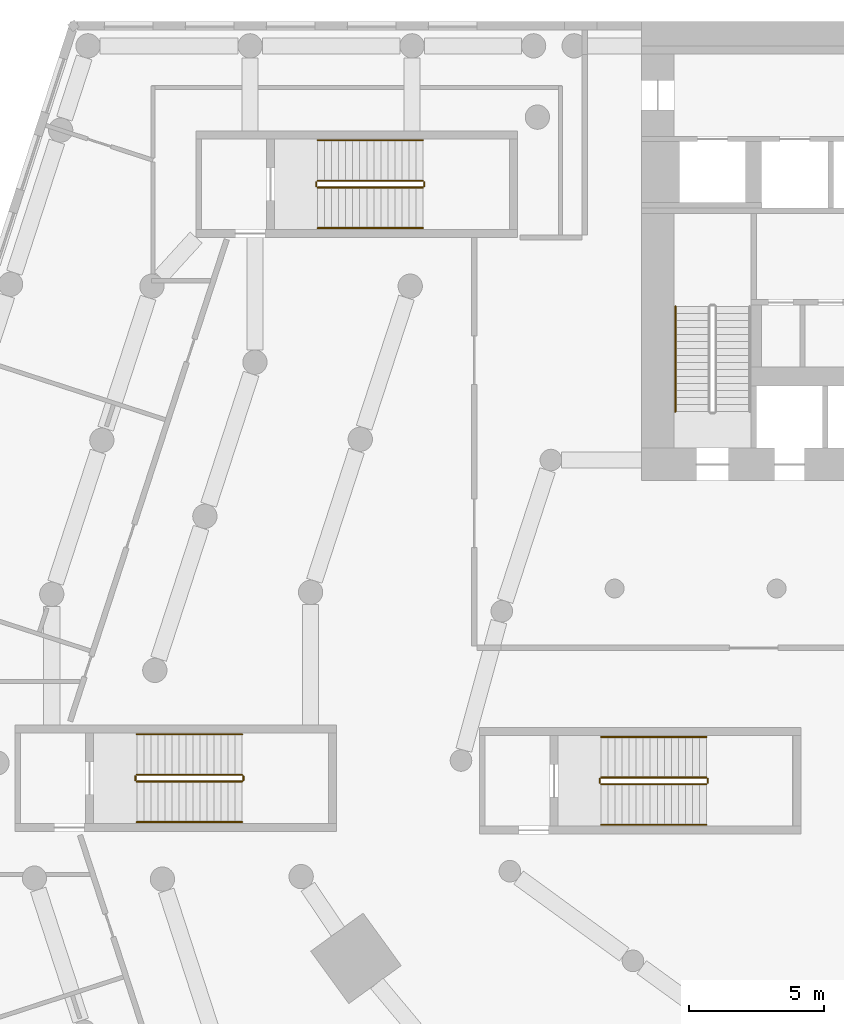
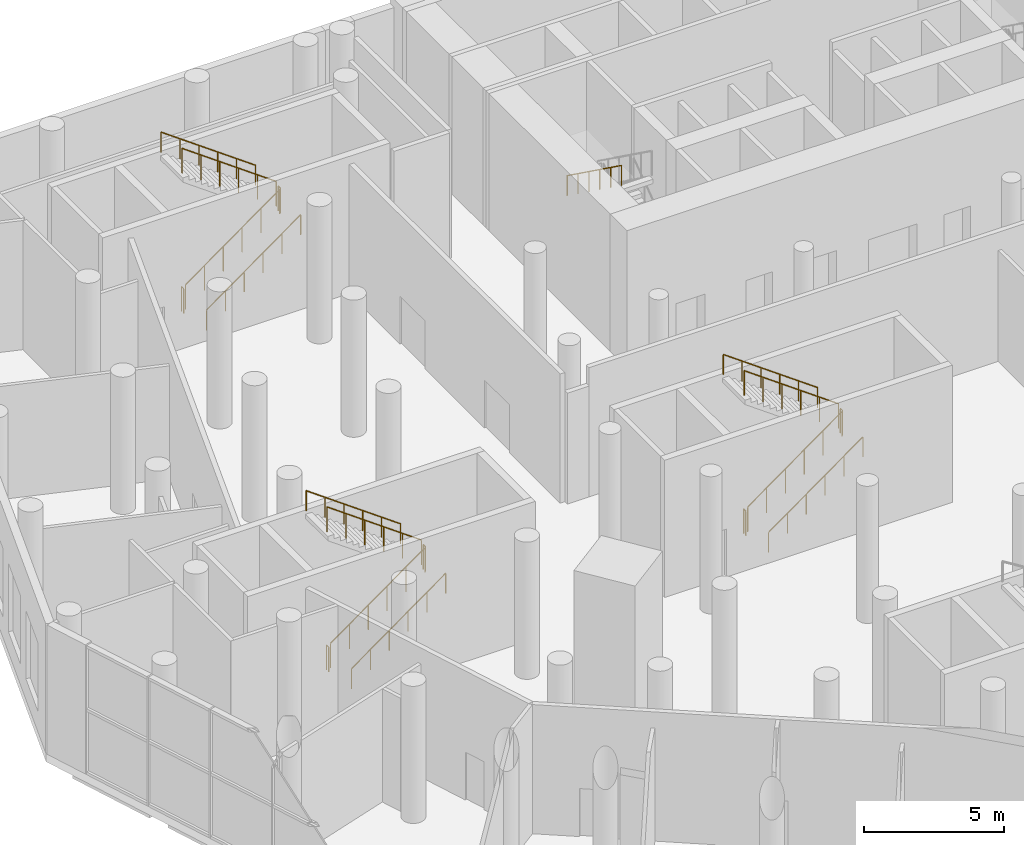
# One storey, part 21 of 23: 19 railings.
"""IFC4 building model written with IfcOpenShell, lengths in metres."""

from ifc_helpers import new_model, si_unit, direction, frame, origin, origin_2d, place, context, subcontext, project, spatial, circle, extrude, material, type_object, element, save


model = new_model("IFC4")

# Units and contexts
model_context = context("Model", 3, precision=1e-05, world=origin(), true_north=direction((0.0, 1.0)))
body_context = subcontext(model_context, "Body", "Model", "MODEL_VIEW")
ifc_project = project(units=[si_unit("LENGTHUNIT", "METRE"), si_unit("AREAUNIT", "SQUARE_METRE"), si_unit("VOLUMEUNIT", "CUBIC_METRE"), si_unit("PLANEANGLEUNIT", "RADIAN"), si_unit("MASSUNIT", "GRAM", prefix="KILO")], contexts=[model_context])

# Site, building, storey
site_placement = place(None, origin())
site = spatial("IfcSite", under=ifc_project, at=site_placement, CompositionType="ELEMENT")
building_placement = place(site_placement, origin())
building = spatial("IfcBuilding", under=site, at=building_placement, Name="White Candle Pilgrim Tower", CompositionType="ELEMENT")
storey_placement = place(building_placement, frame((0.0, 0.0, 9.0)))
storey = spatial("IfcBuildingStorey", under=building, at=storey_placement, Name="L01", CompositionType="ELEMENT", Elevation=9.0)

# Railings
ifc_material = material(Name="Stainless steel", Category="steel")
railing_type_1 = type_object("IfcRailingType", Name="Stair guard stainless steel 1100 mm", PredefinedType="GUARDRAIL", material=ifc_material)
railing_1_placement = place(storey_placement, frame((57.5, 59.75, 0.1875)))
element("IfcRailing", 1, at=railing_1_placement, inside=storey, type_object=railing_type_1, Name="L01 ST5 stair guard 1", PredefinedType="GUARDRAIL", context=body_context, shape_type="SweptSolid", body=[
    extrude(circle(Radius=0.02392578125, at=origin_2d()), frame((0.0, 0.0, 1.076171875), z_axis=(0.811083382981, 0.0, 0.584930547887), x_axis=(0.0, 1.0, 0.0)), (0.0, 0.0, 1.0), 4.808349609375),
    extrude(circle(Radius=0.02099609375, at=origin_2d()), origin(), (0.0, 0.0, 1.0), 1.052001953125),
    extrude(circle(Radius=0.02099609375, at=origin_2d()), frame((0.780029296875, 0.0, 0.5625)), (0.0, 0.0, 1.0), 1.052001953125),
    extrude(circle(Radius=0.02099609375, at=origin_2d()), frame((1.56005859375, 0.0, 1.125)), (0.0, 0.0, 1.0), 1.052001953125),
    extrude(circle(Radius=0.02099609375, at=origin_2d()), frame((2.33984375, 0.0, 1.6875)), (0.0, 0.0, 1.0), 1.052001953125),
    extrude(circle(Radius=0.02099609375, at=origin_2d()), frame((3.119873046875, 0.0, 2.25)), (0.0, 0.0, 1.0), 1.052001953125),
    extrude(circle(Radius=0.02099609375, at=origin_2d()), frame((3.89990234375, 0.0, 2.8125)), (0.0, 0.0, 1.0), 1.052001953125),
])
railing_2_placement = place(storey_placement, frame((61.449951171875, 59.800048828125, 3.0)))
element("IfcRailing", 2, at=railing_2_placement, inside=storey, type_object=railing_type_1, Name="L01 ST5 stair guard 2", PredefinedType="GUARDRAIL", context=body_context, shape_type="SweptSolid", body=[
    extrude(circle(Radius=0.02392578125, at=origin_2d()), frame((0.0, 0.0, 1.076171875), z_axis=(0.0, 1.0, 0.0), x_axis=(-1.0, 0.0, 0.0)), (0.0, 0.0, 1.0), 0.14990234375),
    extrude(circle(Radius=0.02099609375, at=origin_2d()), origin(), (0.0, 0.0, 1.0), 1.052001953125),
    extrude(circle(Radius=0.02099609375, at=origin_2d()), frame((0.0, 0.14990234375, 0.0)), (0.0, 0.0, 1.0), 1.052001953125),
])
railing_3_placement = place(storey_placement, frame((61.39990234375, 60.0, 3.1875)))
element("IfcRailing", 3, at=railing_3_placement, inside=storey, type_object=railing_type_1, Name="L01 ST5 stair guard 3", PredefinedType="GUARDRAIL", context=body_context, shape_type="SweptSolid", body=[
    extrude(circle(Radius=0.02392578125, at=origin_2d()), frame((0.0, 0.0, 1.076171875), z_axis=(-0.811083382981, 0.0, 0.584930547887), x_axis=(0.0, -1.0, 0.0)), (0.0, 0.0, 1.0), 4.808349609375),
    extrude(circle(Radius=0.02099609375, at=origin_2d()), origin(), (0.0, 0.0, 1.0), 1.052001953125),
    extrude(circle(Radius=0.02099609375, at=origin_2d()), frame((-0.780029296875, 0.0, 0.5625)), (0.0, 0.0, 1.0), 1.052001953125),
    extrude(circle(Radius=0.02099609375, at=origin_2d()), frame((-1.56005859375, 0.0, 1.125)), (0.0, 0.0, 1.0), 1.052001953125),
    extrude(circle(Radius=0.02099609375, at=origin_2d()), frame((-2.33984375, 0.0, 1.6875)), (0.0, 0.0, 1.0), 1.052001953125),
    extrude(circle(Radius=0.02099609375, at=origin_2d()), frame((-3.119873046875, 0.0, 2.25)), (0.0, 0.0, 1.0), 1.052001953125),
    extrude(circle(Radius=0.02099609375, at=origin_2d()), frame((-3.89990234375, 0.0, 2.8125)), (0.0, 0.0, 1.0), 1.052001953125),
])
railing_4_placement = place(storey_placement, frame((57.449951171875, 59.800048828125, 0.0)))
element("IfcRailing", 4, at=railing_4_placement, inside=storey, type_object=railing_type_1, Name="L01 ST5 stair guard 4", PredefinedType="GUARDRAIL", context=body_context, shape_type="SweptSolid", body=[
    extrude(circle(Radius=0.02392578125, at=origin_2d()), frame((0.0, 0.0, 1.076171875), z_axis=(0.0, 1.0, 0.0), x_axis=(-1.0, 0.0, 0.0)), (0.0, 0.0, 1.0), 0.14990234375),
    extrude(circle(Radius=0.02099609375, at=origin_2d()), origin(), (0.0, 0.0, 1.0), 1.052001953125),
    extrude(circle(Radius=0.02099609375, at=origin_2d()), frame((0.0, 0.14990234375, 0.0)), (0.0, 0.0, 1.0), 1.052001953125),
])
railing_5_placement = place(storey_placement, frame((40.300048828125, 59.85009765625, 0.1875)))
element("IfcRailing", 5, at=railing_5_placement, inside=storey, type_object=railing_type_1, Name="L01 ST8 stair guard 1", PredefinedType="GUARDRAIL", context=body_context, shape_type="SweptSolid", body=[
    extrude(circle(Radius=0.02392578125, at=origin_2d()), frame((0.0, 0.0, 1.076171875), z_axis=(0.811083382981, 0.0, 0.584930547887), x_axis=(0.0, 1.0, 0.0)), (0.0, 0.0, 1.0), 4.808349609375),
    extrude(circle(Radius=0.02099609375, at=origin_2d()), origin(), (0.0, 0.0, 1.0), 1.052001953125),
    extrude(circle(Radius=0.02099609375, at=origin_2d()), frame((0.780029296875, 0.0, 0.5625)), (0.0, 0.0, 1.0), 1.052001953125),
    extrude(circle(Radius=0.02099609375, at=origin_2d()), frame((1.56005859375, 0.0, 1.125)), (0.0, 0.0, 1.0), 1.052001953125),
    extrude(circle(Radius=0.02099609375, at=origin_2d()), frame((2.33984375, 0.0, 1.6875)), (0.0, 0.0, 1.0), 1.052001953125),
    extrude(circle(Radius=0.02099609375, at=origin_2d()), frame((3.119873046875, 0.0, 2.25)), (0.0, 0.0, 1.0), 1.052001953125),
    extrude(circle(Radius=0.02099609375, at=origin_2d()), frame((3.89990234375, 0.0, 2.8125)), (0.0, 0.0, 1.0), 1.052001953125),
])
railing_6_placement = place(storey_placement, frame((44.25, 59.89990234375, 3.0)))
element("IfcRailing", 6, at=railing_6_placement, inside=storey, type_object=railing_type_1, Name="L01 ST8 stair guard 2", PredefinedType="GUARDRAIL", context=body_context, shape_type="SweptSolid", body=[
    extrude(circle(Radius=0.02392578125, at=origin_2d()), frame((0.0, 0.0, 1.076171875), z_axis=(0.0, 1.0, 0.0), x_axis=(-1.0, 0.0, 0.0)), (0.0, 0.0, 1.0), 0.150146484375),
    extrude(circle(Radius=0.02099609375, at=origin_2d()), origin(), (0.0, 0.0, 1.0), 1.052001953125),
    extrude(circle(Radius=0.02099609375, at=origin_2d()), frame((0.0, 0.150146484375, 0.0)), (0.0, 0.0, 1.0), 1.052001953125),
])
railing_7_placement = place(storey_placement, frame((44.199951171875, 60.10009765625, 3.1875)))
element("IfcRailing", 7, at=railing_7_placement, inside=storey, type_object=railing_type_1, Name="L01 ST8 stair guard 3", PredefinedType="GUARDRAIL", context=body_context, shape_type="SweptSolid", body=[
    extrude(circle(Radius=0.02392578125, at=origin_2d()), frame((0.0, 0.0, 1.076171875), z_axis=(-0.811083382981, 0.0, 0.584930547887), x_axis=(0.0, -1.0, 0.0)), (0.0, 0.0, 1.0), 4.808349609375),
    extrude(circle(Radius=0.02099609375, at=origin_2d()), origin(), (0.0, 0.0, 1.0), 1.052001953125),
    extrude(circle(Radius=0.02099609375, at=origin_2d()), frame((-0.780029296875, 0.0, 0.5625)), (0.0, 0.0, 1.0), 1.052001953125),
    extrude(circle(Radius=0.02099609375, at=origin_2d()), frame((-1.56005859375, 0.0, 1.125)), (0.0, 0.0, 1.0), 1.052001953125),
    extrude(circle(Radius=0.02099609375, at=origin_2d()), frame((-2.33984375, 0.0, 1.6875)), (0.0, 0.0, 1.0), 1.052001953125),
    extrude(circle(Radius=0.02099609375, at=origin_2d()), frame((-3.119873046875, 0.0, 2.25)), (0.0, 0.0, 1.0), 1.052001953125),
    extrude(circle(Radius=0.02099609375, at=origin_2d()), frame((-3.89990234375, 0.0, 2.8125)), (0.0, 0.0, 1.0), 1.052001953125),
])
railing_8_placement = place(storey_placement, frame((40.25, 59.89990234375, 0.0)))
element("IfcRailing", 8, at=railing_8_placement, inside=storey, type_object=railing_type_1, Name="L01 ST8 stair guard 4", PredefinedType="GUARDRAIL", context=body_context, shape_type="SweptSolid", body=[
    extrude(circle(Radius=0.02392578125, at=origin_2d()), frame((0.0, 0.0, 1.076171875), z_axis=(0.0, 1.0, 0.0), x_axis=(-1.0, 0.0, 0.0)), (0.0, 0.0, 1.0), 0.150146484375),
    extrude(circle(Radius=0.02099609375, at=origin_2d()), origin(), (0.0, 0.0, 1.0), 1.052001953125),
    extrude(circle(Radius=0.02099609375, at=origin_2d()), frame((0.0, 0.150146484375, 0.0)), (0.0, 0.0, 1.0), 1.052001953125),
])
railing_9_placement = place(storey_placement, frame((47.0, 81.85009765625, 0.1875)))
element("IfcRailing", 9, at=railing_9_placement, inside=storey, type_object=railing_type_1, Name="L01 ST10 stair guard 1", PredefinedType="GUARDRAIL", context=body_context, shape_type="SweptSolid", body=[
    extrude(circle(Radius=0.02392578125, at=origin_2d()), frame((0.0, 0.0, 1.076171875), z_axis=(0.811083382981, 0.0, 0.584930547887), x_axis=(0.0, 1.0, 0.0)), (0.0, 0.0, 1.0), 4.808349609375),
    extrude(circle(Radius=0.02099609375, at=origin_2d()), origin(), (0.0, 0.0, 1.0), 1.052001953125),
    extrude(circle(Radius=0.02099609375, at=origin_2d()), frame((0.780029296875, 0.0, 0.5625)), (0.0, 0.0, 1.0), 1.052001953125),
    extrude(circle(Radius=0.02099609375, at=origin_2d()), frame((1.56005859375, 0.0, 1.125)), (0.0, 0.0, 1.0), 1.052001953125),
    extrude(circle(Radius=0.02099609375, at=origin_2d()), frame((2.33984375, 0.0, 1.6875)), (0.0, 0.0, 1.0), 1.052001953125),
    extrude(circle(Radius=0.02099609375, at=origin_2d()), frame((3.119873046875, 0.0, 2.25)), (0.0, 0.0, 1.0), 1.052001953125),
    extrude(circle(Radius=0.02099609375, at=origin_2d()), frame((3.89990234375, 0.0, 2.8125)), (0.0, 0.0, 1.0), 1.052001953125),
])
railing_10_placement = place(storey_placement, frame((50.949951171875, 81.89990234375, 3.0)))
element("IfcRailing", 10, at=railing_10_placement, inside=storey, type_object=railing_type_1, Name="L01 ST10 stair guard 2", PredefinedType="GUARDRAIL", context=body_context, shape_type="SweptSolid", body=[
    extrude(circle(Radius=0.02392578125, at=origin_2d()), frame((0.0, 0.0, 1.076171875), z_axis=(0.0, 1.0, 0.0), x_axis=(-1.0, 0.0, 0.0)), (0.0, 0.0, 1.0), 0.150146484375),
    extrude(circle(Radius=0.02099609375, at=origin_2d()), origin(), (0.0, 0.0, 1.0), 1.052001953125),
    extrude(circle(Radius=0.02099609375, at=origin_2d()), frame((0.0, 0.150146484375, 0.0)), (0.0, 0.0, 1.0), 1.052001953125),
])
railing_11_placement = place(storey_placement, frame((50.89990234375, 82.10009765625, 3.1875)))
element("IfcRailing", 11, at=railing_11_placement, inside=storey, type_object=railing_type_1, Name="L01 ST10 stair guard 3", PredefinedType="GUARDRAIL", context=body_context, shape_type="SweptSolid", body=[
    extrude(circle(Radius=0.02392578125, at=origin_2d()), frame((0.0, 0.0, 1.076171875), z_axis=(-0.811083382981, 0.0, 0.584930547887), x_axis=(0.0, -1.0, 0.0)), (0.0, 0.0, 1.0), 4.808349609375),
    extrude(circle(Radius=0.02099609375, at=origin_2d()), origin(), (0.0, 0.0, 1.0), 1.052001953125),
    extrude(circle(Radius=0.02099609375, at=origin_2d()), frame((-0.780029296875, 0.0, 0.5625)), (0.0, 0.0, 1.0), 1.052001953125),
    extrude(circle(Radius=0.02099609375, at=origin_2d()), frame((-1.56005859375, 0.0, 1.125)), (0.0, 0.0, 1.0), 1.052001953125),
    extrude(circle(Radius=0.02099609375, at=origin_2d()), frame((-2.33984375, 0.0, 1.6875)), (0.0, 0.0, 1.0), 1.052001953125),
    extrude(circle(Radius=0.02099609375, at=origin_2d()), frame((-3.119873046875, 0.0, 2.25)), (0.0, 0.0, 1.0), 1.052001953125),
    extrude(circle(Radius=0.02099609375, at=origin_2d()), frame((-3.89990234375, 0.0, 2.8125)), (0.0, 0.0, 1.0), 1.052001953125),
])
railing_12_placement = place(storey_placement, frame((46.949951171875, 81.89990234375, 0.0)))
element("IfcRailing", 12, at=railing_12_placement, inside=storey, type_object=railing_type_1, Name="L01 ST10 stair guard 4", PredefinedType="GUARDRAIL", context=body_context, shape_type="SweptSolid", body=[
    extrude(circle(Radius=0.02392578125, at=origin_2d()), frame((0.0, 0.0, 1.076171875), z_axis=(0.0, 1.0, 0.0), x_axis=(-1.0, 0.0, 0.0)), (0.0, 0.0, 1.0), 0.150146484375),
    extrude(circle(Radius=0.02099609375, at=origin_2d()), origin(), (0.0, 0.0, 1.0), 1.052001953125),
    extrude(circle(Radius=0.02099609375, at=origin_2d()), frame((0.0, 0.150146484375, 0.0)), (0.0, 0.0, 1.0), 1.052001953125),
])
railing_type_2 = type_object("IfcRailingType", Name="Stair handrail stainless steel", PredefinedType="HANDRAIL", material=ifc_material)
railing_13_placement = place(storey_placement, frame((60.25, 77.449951171875, 3.1875)))
element("IfcRailing", 13, at=railing_13_placement, inside=storey, type_object=railing_type_2, Name="L01 ST1 stair handrail 2", PredefinedType="HANDRAIL", context=body_context, shape_type="SweptSolid", body=[
    extrude(circle(Radius=0.02392578125, at=origin_2d()), frame((0.0, 0.0, 0.8759765625), z_axis=(0.0, -0.811083382981, 0.584930547887), x_axis=(1.0, 0.0, 0.0)), (0.0, 0.0, 1.0), 4.808349609375),
    extrude(circle(Radius=0.02099609375, at=origin_2d()), origin(), (0.0, 0.0, 1.0), 0.851806640625),
    extrude(circle(Radius=0.02099609375, at=origin_2d()), frame((0.0, -0.780029296875, 0.5625)), (0.0, 0.0, 1.0), 0.851806640625),
    extrude(circle(Radius=0.02099609375, at=origin_2d()), frame((0.0, -1.56005859375, 1.125)), (0.0, 0.0, 1.0), 0.851806640625),
    extrude(circle(Radius=0.02099609375, at=origin_2d()), frame((0.0, -2.33984375, 1.6875)), (0.0, 0.0, 1.0), 0.851806640625),
    extrude(circle(Radius=0.02099609375, at=origin_2d()), frame((0.0, -3.119873046875, 2.25)), (0.0, 0.0, 1.0), 0.851806640625),
    extrude(circle(Radius=0.02099609375, at=origin_2d()), frame((0.0, -3.89990234375, 2.8125)), (0.0, 0.0, 1.0), 0.851806640625),
])
railing_14_placement = place(storey_placement, frame((57.5, 58.25, 0.1875)))
element("IfcRailing", 14, at=railing_14_placement, inside=storey, type_object=railing_type_2, Name="L01 ST5 stair handrail 1", PredefinedType="HANDRAIL", context=body_context, shape_type="SweptSolid", body=[
    extrude(circle(Radius=0.02392578125, at=origin_2d()), frame((0.0, 0.0, 0.8759765625), z_axis=(0.811083382981, 0.0, 0.584930547887), x_axis=(0.0, 1.0, 0.0)), (0.0, 0.0, 1.0), 4.808349609375),
    extrude(circle(Radius=0.02099609375, at=origin_2d()), origin(), (0.0, 0.0, 1.0), 0.851806640625),
    extrude(circle(Radius=0.02099609375, at=origin_2d()), frame((0.780029296875, 0.0, 0.5625)), (0.0, 0.0, 1.0), 0.851806640625),
    extrude(circle(Radius=0.02099609375, at=origin_2d()), frame((1.56005859375, 0.0, 1.125)), (0.0, 0.0, 1.0), 0.851806640625),
    extrude(circle(Radius=0.02099609375, at=origin_2d()), frame((2.33984375, 0.0, 1.6875)), (0.0, 0.0, 1.0), 0.851806640625),
    extrude(circle(Radius=0.02099609375, at=origin_2d()), frame((3.119873046875, 0.0, 2.25)), (0.0, 0.0, 1.0), 0.851806640625),
    extrude(circle(Radius=0.02099609375, at=origin_2d()), frame((3.89990234375, 0.0, 2.8125)), (0.0, 0.0, 1.0), 0.851806640625),
])
railing_15_placement = place(storey_placement, frame((61.39990234375, 61.5, 3.1875)))
element("IfcRailing", 15, at=railing_15_placement, inside=storey, type_object=railing_type_2, Name="L01 ST5 stair handrail 2", PredefinedType="HANDRAIL", context=body_context, shape_type="SweptSolid", body=[
    extrude(circle(Radius=0.02392578125, at=origin_2d()), frame((0.0, 0.0, 0.8759765625), z_axis=(-0.811083382981, 0.0, 0.584930547887), x_axis=(0.0, -1.0, 0.0)), (0.0, 0.0, 1.0), 4.808349609375),
    extrude(circle(Radius=0.02099609375, at=origin_2d()), origin(), (0.0, 0.0, 1.0), 0.851806640625),
    extrude(circle(Radius=0.02099609375, at=origin_2d()), frame((-0.780029296875, 0.0, 0.5625)), (0.0, 0.0, 1.0), 0.851806640625),
    extrude(circle(Radius=0.02099609375, at=origin_2d()), frame((-1.56005859375, 0.0, 1.125)), (0.0, 0.0, 1.0), 0.851806640625),
    extrude(circle(Radius=0.02099609375, at=origin_2d()), frame((-2.33984375, 0.0, 1.6875)), (0.0, 0.0, 1.0), 0.851806640625),
    extrude(circle(Radius=0.02099609375, at=origin_2d()), frame((-3.119873046875, 0.0, 2.25)), (0.0, 0.0, 1.0), 0.851806640625),
    extrude(circle(Radius=0.02099609375, at=origin_2d()), frame((-3.89990234375, 0.0, 2.8125)), (0.0, 0.0, 1.0), 0.851806640625),
])
railing_16_placement = place(storey_placement, frame((40.300048828125, 58.35009765625, 0.1875)))
element("IfcRailing", 16, at=railing_16_placement, inside=storey, type_object=railing_type_2, Name="L01 ST8 stair handrail 1", PredefinedType="HANDRAIL", context=body_context, shape_type="SweptSolid", body=[
    extrude(circle(Radius=0.02392578125, at=origin_2d()), frame((0.0, 0.0, 0.8759765625), z_axis=(0.811083382981, 0.0, 0.584930547887), x_axis=(0.0, 1.0, 0.0)), (0.0, 0.0, 1.0), 4.808349609375),
    extrude(circle(Radius=0.02099609375, at=origin_2d()), origin(), (0.0, 0.0, 1.0), 0.851806640625),
    extrude(circle(Radius=0.02099609375, at=origin_2d()), frame((0.780029296875, 0.0, 0.5625)), (0.0, 0.0, 1.0), 0.851806640625),
    extrude(circle(Radius=0.02099609375, at=origin_2d()), frame((1.56005859375, 0.0, 1.125)), (0.0, 0.0, 1.0), 0.851806640625),
    extrude(circle(Radius=0.02099609375, at=origin_2d()), frame((2.33984375, 0.0, 1.6875)), (0.0, 0.0, 1.0), 0.851806640625),
    extrude(circle(Radius=0.02099609375, at=origin_2d()), frame((3.119873046875, 0.0, 2.25)), (0.0, 0.0, 1.0), 0.851806640625),
    extrude(circle(Radius=0.02099609375, at=origin_2d()), frame((3.89990234375, 0.0, 2.8125)), (0.0, 0.0, 1.0), 0.851806640625),
])
railing_17_placement = place(storey_placement, frame((44.199951171875, 61.60009765625, 3.1875)))
element("IfcRailing", 17, at=railing_17_placement, inside=storey, type_object=railing_type_2, Name="L01 ST8 stair handrail 2", PredefinedType="HANDRAIL", context=body_context, shape_type="SweptSolid", body=[
    extrude(circle(Radius=0.02392578125, at=origin_2d()), frame((0.0, 0.0, 0.8759765625), z_axis=(-0.811083382981, 0.0, 0.584930547887), x_axis=(0.0, -1.0, 0.0)), (0.0, 0.0, 1.0), 4.808349609375),
    extrude(circle(Radius=0.02099609375, at=origin_2d()), origin(), (0.0, 0.0, 1.0), 0.851806640625),
    extrude(circle(Radius=0.02099609375, at=origin_2d()), frame((-0.780029296875, 0.0, 0.5625)), (0.0, 0.0, 1.0), 0.851806640625),
    extrude(circle(Radius=0.02099609375, at=origin_2d()), frame((-1.56005859375, 0.0, 1.125)), (0.0, 0.0, 1.0), 0.851806640625),
    extrude(circle(Radius=0.02099609375, at=origin_2d()), frame((-2.33984375, 0.0, 1.6875)), (0.0, 0.0, 1.0), 0.851806640625),
    extrude(circle(Radius=0.02099609375, at=origin_2d()), frame((-3.119873046875, 0.0, 2.25)), (0.0, 0.0, 1.0), 0.851806640625),
    extrude(circle(Radius=0.02099609375, at=origin_2d()), frame((-3.89990234375, 0.0, 2.8125)), (0.0, 0.0, 1.0), 0.851806640625),
])
railing_18_placement = place(storey_placement, frame((47.0, 80.35009765625, 0.1875)))
element("IfcRailing", 18, at=railing_18_placement, inside=storey, type_object=railing_type_2, Name="L01 ST10 stair handrail 1", PredefinedType="HANDRAIL", context=body_context, shape_type="SweptSolid", body=[
    extrude(circle(Radius=0.02392578125, at=origin_2d()), frame((0.0, 0.0, 0.8759765625), z_axis=(0.811083382981, 0.0, 0.584930547887), x_axis=(0.0, 1.0, 0.0)), (0.0, 0.0, 1.0), 4.808349609375),
    extrude(circle(Radius=0.02099609375, at=origin_2d()), origin(), (0.0, 0.0, 1.0), 0.851806640625),
    extrude(circle(Radius=0.02099609375, at=origin_2d()), frame((0.780029296875, 0.0, 0.5625)), (0.0, 0.0, 1.0), 0.851806640625),
    extrude(circle(Radius=0.02099609375, at=origin_2d()), frame((1.56005859375, 0.0, 1.125)), (0.0, 0.0, 1.0), 0.851806640625),
    extrude(circle(Radius=0.02099609375, at=origin_2d()), frame((2.33984375, 0.0, 1.6875)), (0.0, 0.0, 1.0), 0.851806640625),
    extrude(circle(Radius=0.02099609375, at=origin_2d()), frame((3.119873046875, 0.0, 2.25)), (0.0, 0.0, 1.0), 0.851806640625),
    extrude(circle(Radius=0.02099609375, at=origin_2d()), frame((3.89990234375, 0.0, 2.8125)), (0.0, 0.0, 1.0), 0.851806640625),
])
railing_19_placement = place(storey_placement, frame((50.89990234375, 83.60009765625, 3.1875)))
element("IfcRailing", 19, at=railing_19_placement, inside=storey, type_object=railing_type_2, Name="L01 ST10 stair handrail 2", PredefinedType="HANDRAIL", context=body_context, shape_type="SweptSolid", body=[
    extrude(circle(Radius=0.02392578125, at=origin_2d()), frame((0.0, 0.0, 0.8759765625), z_axis=(-0.811083382981, 0.0, 0.584930547887), x_axis=(0.0, -1.0, 0.0)), (0.0, 0.0, 1.0), 4.808349609375),
    extrude(circle(Radius=0.02099609375, at=origin_2d()), origin(), (0.0, 0.0, 1.0), 0.851806640625),
    extrude(circle(Radius=0.02099609375, at=origin_2d()), frame((-0.780029296875, 0.0, 0.5625)), (0.0, 0.0, 1.0), 0.851806640625),
    extrude(circle(Radius=0.02099609375, at=origin_2d()), frame((-1.56005859375, 0.0, 1.125)), (0.0, 0.0, 1.0), 0.851806640625),
    extrude(circle(Radius=0.02099609375, at=origin_2d()), frame((-2.33984375, 0.0, 1.6875)), (0.0, 0.0, 1.0), 0.851806640625),
    extrude(circle(Radius=0.02099609375, at=origin_2d()), frame((-3.119873046875, 0.0, 2.25)), (0.0, 0.0, 1.0), 0.851806640625),
    extrude(circle(Radius=0.02099609375, at=origin_2d()), frame((-3.89990234375, 0.0, 2.8125)), (0.0, 0.0, 1.0), 0.851806640625),
])

save(model, "model.ifc")
